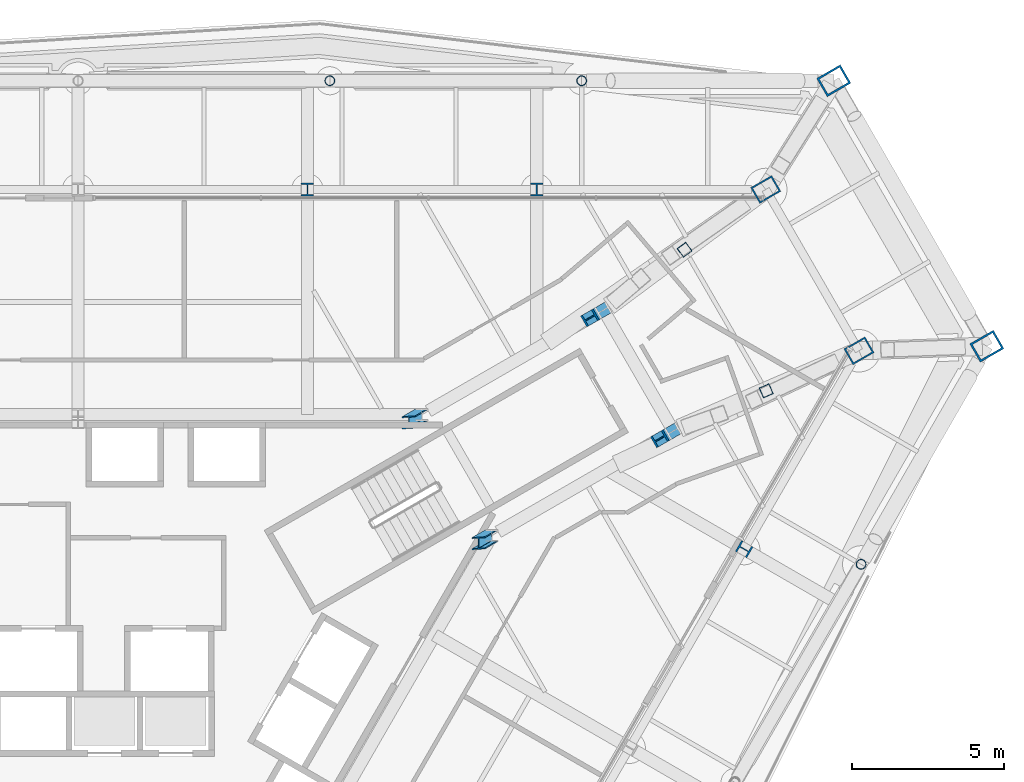
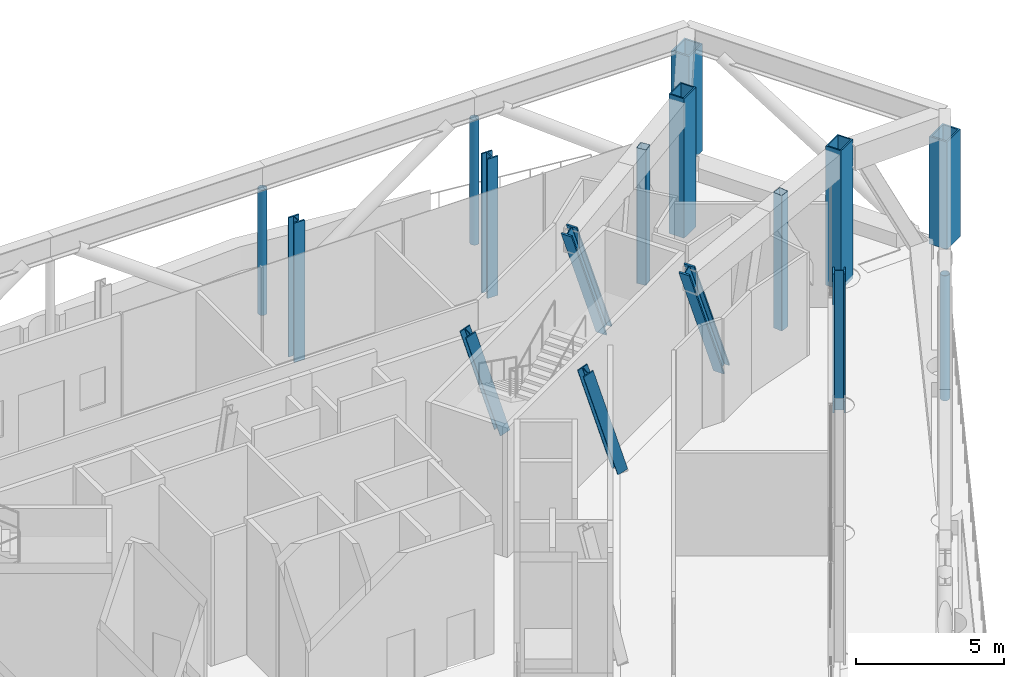
# One storey, part 4 of 25: 16 columns.
"""IFC4 building model written with IfcOpenShell, lengths in metres."""

import ifcopenshell
import ifcopenshell.guid

model = None  # the IFC model being written
_history = None  # IfcOwnerHistory: only IFC2X3 demands one
_inside = {}  # id of a spatial element -> (the spatial element, [elements in it])
_under = {}  # id of a project, library or spatial element -> (it, [spatial elements below it])
_declared = {}  # id of a project -> (the project, [libraries it declares])
_typed = {}  # id of a type object -> (the type object, [elements of that type])
_made_of = {}  # id of a material, layer set ... -> (it, [elements and type objects made of it])


def new_model(schema):
    """Start an empty IFC model of exactly this schema.

    Asked for "IFC4X3", IfcOpenShell would pick the latest addendum, in which some entities
    have other attributes; the version numbers below select the first issue.
    IFC2X3 requires an IfcOwnerHistory on every rooted entity: one is made here for all.
    """
    global model, _history
    if schema == "IFC4X3":
        model = ifcopenshell.file(schema_version=(4, 3, 0, 0))
    else:
        model = ifcopenshell.file(schema=schema)
    _inside.clear()
    _under.clear()
    _declared.clear()
    _typed.clear()
    _made_of.clear()
    _history = None
    if model.schema == "IFC2X3":
        org = make("IfcOrganization", Name="unknown")
        user = make(
            "IfcPersonAndOrganization",
            ThePerson=make("IfcPerson", FamilyName="unknown"),
            TheOrganization=org,
        )
        app = make(
            "IfcApplication",
            ApplicationDeveloper=org,
            Version="unknown",
            ApplicationFullName="unknown",
            ApplicationIdentifier="unknown",
        )
        _history = make(
            "IfcOwnerHistory",
            OwningUser=user,
            OwningApplication=app,
            ChangeAction="ADDED",
            CreationDate=0,
        )
    return model


def make(cls, **values):
    """One entity of the class cls with the attributes given. An attribute that is None is left unset."""
    return model.create_entity(
        cls, **{name: value for name, value in values.items() if value is not None}
    )


def rooted(cls, **values):
    """An entity with a GlobalId (a new one), such as an element, a storey or a relation."""
    return make(cls, GlobalId=ifcopenshell.guid.new(), OwnerHistory=_history, **values)


def si_unit(unit_type, name, prefix=None):
    """IfcSIUnit, for example si_unit("LENGTHUNIT", "METRE", prefix="MILLI")."""
    return make("IfcSIUnit", UnitType=unit_type, Prefix=prefix, Name=name)


def assignment(units):
    """IfcUnitAssignment: the units of a project."""
    return None if units is None else make("IfcUnitAssignment", Units=units)


def point(xyz):
    """IfcCartesianPoint."""
    return None if xyz is None else make("IfcCartesianPoint", Coordinates=xyz)


def direction(xyz):
    """IfcDirection."""
    return None if xyz is None else make("IfcDirection", DirectionRatios=xyz)


def frame(location, z_axis=None, x_axis=None):
    """IfcAxis2Placement3D, a coordinate frame: its origin and axes. An axis left out is left unset."""
    return make(
        "IfcAxis2Placement3D",
        Location=point(location),
        Axis=direction(z_axis),
        RefDirection=direction(x_axis),
    )


def frame_2d(location, x_axis=None):
    """IfcAxis2Placement2D, a coordinate frame in the plane: its origin and x axis."""
    return make(
        "IfcAxis2Placement2D", Location=point(location), RefDirection=direction(x_axis)
    )


def origin():
    """The frame at (0, 0, 0) with its axes left unset."""
    return frame((0.0, 0.0, 0.0))


def origin_2d():
    """The frame at (0, 0) in the plane with its x axis left unset."""
    return frame_2d((0.0, 0.0))


def place(relative_to, where):
    """IfcLocalPlacement: puts the frame where relative to a parent placement (None: the world)."""
    return make(
        "IfcLocalPlacement", PlacementRelTo=relative_to, RelativePlacement=where
    )


def context(
    kind, dimensions, precision=None, world=None, true_north=None, identifier=None
):
    """IfcGeometricRepresentationContext, for example the 3D "Model" context."""
    return make(
        "IfcGeometricRepresentationContext",
        ContextIdentifier=identifier,
        ContextType=kind,
        CoordinateSpaceDimension=dimensions,
        Precision=precision,
        WorldCoordinateSystem=world,
        TrueNorth=true_north,
    )


def subcontext(parent, identifier, kind, view, scale=None):
    """IfcGeometricRepresentationSubContext, for example "Body" below "Model"."""
    return make(
        "IfcGeometricRepresentationSubContext",
        ContextIdentifier=identifier,
        ContextType=kind,
        ParentContext=parent,
        TargetScale=scale,
        TargetView=view,
    )


def project(units=None, contexts=None):
    """IfcProject with its units and contexts."""
    return rooted(
        "IfcProject",
        Name="project",
        RepresentationContexts=contexts,
        UnitsInContext=assignment(units),
    )


def spatial(cls, under=None, at=None, **own):
    """A site, building, storey or space (cls), placed at a placement, below another one or the project."""
    s = rooted(cls, ObjectPlacement=at, **own)
    if under is not None:
        _under.setdefault(under.id(), (under, []))[1].append(s)
    return s


def profile(cls, at=None, kind="AREA", **sizes):
    """A parametric profile (cls). Its sizes go by their IFC names, for example OverallWidth=200.0."""
    return make(cls, ProfileType=kind, Position=at, **sizes)


def hollow_rectangle(**sizes):
    """IfcRectangleHollowProfileDef."""
    return profile("IfcRectangleHollowProfileDef", **sizes)


def hollow_circle(**sizes):
    """IfcCircleHollowProfileDef."""
    return profile("IfcCircleHollowProfileDef", **sizes)


def i_section(**sizes):
    """IfcIShapeProfileDef."""
    return profile("IfcIShapeProfileDef", **sizes)


def extrude(swept, where, along, depth):
    """IfcExtrudedAreaSolid: the profile swept, set in the frame where, extruded along a direction by depth."""
    return make(
        "IfcExtrudedAreaSolid",
        SweptArea=swept,
        Position=where,
        ExtrudedDirection=direction(along),
        Depth=depth,
    )


def shape(context_of_items, identifier, shape_type, items):
    """IfcShapeRepresentation: the items that make up one representation, for example the "Body"."""
    return make(
        "IfcShapeRepresentation",
        ContextOfItems=context_of_items,
        RepresentationIdentifier=identifier,
        RepresentationType=shape_type,
        Items=items,
    )


def material(Name=None, Category=None):
    """IfcMaterial."""
    return make("IfcMaterial", Name=Name, Category=Category)


def material_profile(
    of_material, cross_section, Name=None, Category=None, Priority=None
):
    """IfcMaterialProfile: a cross section and its material."""
    return make(
        "IfcMaterialProfile",
        Name=Name,
        Material=of_material,
        Profile=cross_section,
        Priority=Priority,
        Category=Category,
    )


def profile_set(profiles, Name=None, composite=None):
    """IfcMaterialProfileSet."""
    return make(
        "IfcMaterialProfileSet",
        Name=Name,
        MaterialProfiles=profiles,
        CompositeProfile=composite,
    )


def made_of(thing, what):
    """Note that an element or type object is made of a material, layer set ...; save() writes the relation."""
    if what is not None:
        _made_of.setdefault(what.id(), (what, []))[1].append(thing)
    return thing


def type_object(cls, material=None, **own):
    """A type object (cls), such as IfcWallType, which elements share."""
    return made_of(rooted(cls, **own), material)


def element(
    cls,
    number,
    at=None,
    inside=None,
    cuts=None,
    type_object=None,
    material=None,
    context=None,
    identifier="Body",
    shape_type=None,
    held_by="IfcProductDefinitionShape",
    body=None,
    shapes=None,
    **own,
):
    """One element of the class cls, such as IfcWall. Its Tag is "e" and its number.

    at: its placement. inside: the storey or other place that contains it. cuts: it is an
    opening in that element (IfcRelVoidsElement). A single representation is given by context,
    identifier, shape_type and body (its items); several are given by shapes. held_by: the class
    of the entity that holds the representations. save() writes the other relations.
    """
    e = rooted(cls, Tag="e%d" % number, ObjectPlacement=at, **own)
    if body is not None:
        shapes = [shape(context, identifier, shape_type, body)]
    if shapes is not None:
        e.Representation = make(held_by, Representations=shapes)
    if inside is not None:
        _inside.setdefault(inside.id(), (inside, []))[1].append(e)
    if cuts is not None:
        rooted(
            "IfcRelVoidsElement", RelatingBuildingElement=cuts, RelatedOpeningElement=e
        )
    if type_object is not None:
        _typed.setdefault(type_object.id(), (type_object, []))[1].append(e)
    return made_of(e, material)


def aggregate(whole, parts):
    """IfcRelAggregates: a whole, such as a stair, and the parts it consists of."""
    return rooted("IfcRelAggregates", RelatingObject=whole, RelatedObjects=parts)


def save(model, path):
    """Write the relations noted so far, then the file.

    IfcRelAggregates (storeys below a building ...), IfcRelContainedInSpatialStructure (elements
    in a storey), IfcRelDefinesByType, IfcRelAssociatesMaterial and IfcRelDeclares: one each for
    every whole, place, type object, material and project.
    """
    for whole, parts in _under.values():
        aggregate(whole, parts)
    for where, things in _inside.values():
        rooted(
            "IfcRelContainedInSpatialStructure",
            RelatedElements=things,
            RelatingStructure=where,
        )
    for kind, things in _typed.values():
        rooted("IfcRelDefinesByType", RelatedObjects=things, RelatingType=kind)
    for what, things in _made_of.values():
        rooted("IfcRelAssociatesMaterial", RelatedObjects=things, RelatingMaterial=what)
    for by, libraries in _declared.values():
        rooted("IfcRelDeclares", RelatingContext=by, RelatedDefinitions=libraries)
    model.write(path)


model = new_model("IFC4")

# Units and contexts
model_context = context("Model", 3, precision=1e-05, world=origin(), true_north=direction((0.0, 1.0)))
body_context = subcontext(model_context, "Body", "Model", "MODEL_VIEW")
ifc_project = project(units=[si_unit("LENGTHUNIT", "METRE"), si_unit("AREAUNIT", "SQUARE_METRE"), si_unit("VOLUMEUNIT", "CUBIC_METRE"), si_unit("PLANEANGLEUNIT", "RADIAN"), si_unit("MASSUNIT", "GRAM", prefix="KILO")], contexts=[model_context])

# Site, building, storey
site_placement = place(None, origin())
site = spatial("IfcSite", under=ifc_project, at=site_placement, CompositionType="ELEMENT")
building_placement = place(site_placement, origin())
building = spatial("IfcBuilding", under=site, at=building_placement, Name="Verrane Prism Tower", CompositionType="ELEMENT")
storey_placement = place(building_placement, frame((0.0, 0.0, 143.199951171875)))
storey = spatial("IfcBuildingStorey", under=building, at=storey_placement, Name="L35", CompositionType="ELEMENT", Elevation=143.199951171875)

# Columns
ifc_material_1 = material(Name="Steel A500 Grade C", Category="steel")
ifc_material_profile_1 = material_profile(ifc_material_1, hollow_circle(Radius=0.16259765625, WallThickness=0.0126953125, at=origin_2d()), Name="HSS12.750x0.500")
ifc_profile_set_1 = profile_set([ifc_material_profile_1], Name="Steel A500 Grade C")
column_type_1 = type_object("IfcColumnType", Name="Belt truss post HSS12.750x0.500", PredefinedType="COLUMN", material=ifc_profile_set_1)
for number, where, z_axis, x_axis, name in (
    (1, (16.580078125, 20.18994140625, -0.72998046875), (0.0, 0.0, 1.0), (1.0, 0.0, 0.0), "Belt truss post L35"),
    (2, (8.2900390625, 20.18994140625, -0.72998046875), (0.0, 0.0, 1.0), (1.0, 0.0, 0.0), "Belt truss post L35"),
    (3, (25.780029296875, 4.27001953125, -0.72998046875), (0.0, 0.0, 1.0), (-0.5, -0.866025403784, 0.0), "Belt truss post L35"),
):
    element("IfcColumn", number, at=place(storey_placement, frame(where, z_axis=z_axis, x_axis=x_axis)), inside=storey, type_object=column_type_1, Name=name, PredefinedType="COLUMN", context=body_context, shape_type="SweptSolid", body=[
        extrude(hollow_circle(Radius=0.16259765625, WallThickness=0.0126953125, at=origin_2d()), origin(), (0.0, 0.0, 1.0), 5.169921875),
    ])
ifc_material_2 = material(Name="Steel A992", Category="steel")
ifc_material_profile_2 = material_profile(ifc_material_2, i_section(OverallWidth=0.411376953125, OverallDepth=0.434326171875, WebThickness=0.035888671875, FlangeThickness=0.057373046875, FilletRadius=0.01513671875, at=origin_2d()), Name="W14x311")
ifc_profile_set_2 = profile_set([ifc_material_profile_2], Name="Steel A992")
column_type_2 = type_object("IfcColumnType", Name="Core corner column W14x311", PredefinedType="COLUMN", material=ifc_profile_set_2)
for number, where, z_axis, x_axis, name in (
    (4, (19.57958984375, 8.648193359375, 0.054931640625), (-0.341378253674, -0.196947420622, 0.919060716943), (0.499997314548, -0.866026943298, 0.000137572424), "Core corner column CK-NEm L35"),
    (5, (17.279541015625, 12.628173828125, 0.054931640625), (-0.341344894108, -0.196910883598, 0.919080936146), (0.499964404976, -0.866045942682, 0.000137555964), "Core corner column CK-NEp L35"),
):
    element("IfcColumn", number, at=place(storey_placement, frame(where, z_axis=z_axis, x_axis=x_axis)), inside=storey, type_object=column_type_2, Name=name, PredefinedType="COLUMN", context=body_context, shape_type="SweptSolid", body=[
        extrude(i_section(OverallWidth=0.411376953125, OverallDepth=0.434326171875, WebThickness=0.035888671875, FlangeThickness=0.057373046875, FilletRadius=0.01513671875, at=origin_2d()), origin(), (0.0, 0.0, 1.0), 5.9736328125),
    ])
ifc_material_3 = material(Name="Steel A992", Category="steel")
ifc_material_profile_3 = material_profile(ifc_material_3, i_section(OverallWidth=0.4013671875, OverallDepth=0.398681640625, WebThickness=0.02490234375, FlangeThickness=0.03955078125, FilletRadius=0.01513671875, at=origin_2d()), Name="W14x211")
ifc_profile_set_3 = profile_set([ifc_material_profile_3], Name="Steel A992")
column_type_3 = type_object("IfcColumnType", Name="Core side column W14x211", PredefinedType="COLUMN", material=ifc_profile_set_3)
for number, where, z_axis, x_axis, name in (
    (6, (13.60595703125, 5.2060546875, 0.06494140625), (-0.339909019548, -0.197042164073, 0.91958482154), (0.937974546655, -1.0953878e-05, 0.346704124156), "Core side column CC-NEm L35"),
    (7, (11.305908203125, 9.18603515625, 0.06494140625), (-0.339909019548, -0.197042164073, 0.91958482154), (0.937974546655, -1.0953878e-05, 0.346704124156), "Core side column CC-NEp L35"),
):
    element("IfcColumn", number, at=place(storey_placement, frame(where, z_axis=z_axis, x_axis=x_axis)), inside=storey, type_object=column_type_3, Name=name, PredefinedType="COLUMN", context=body_context, shape_type="SweptSolid", body=[
        extrude(i_section(OverallWidth=0.4013671875, OverallDepth=0.398681640625, WebThickness=0.02490234375, FlangeThickness=0.03955078125, FilletRadius=0.01513671875, at=origin_2d()), origin(), (0.0, 0.0, 1.0), 5.948486328125),
    ])
ifc_material_4 = material(Name="Steel A572 Grade 50", Category="steel")
ifc_material_profile_4 = material_profile(ifc_material_4, hollow_rectangle(XDim=0.60009765625, YDim=0.800048828125, WallThickness=0.050048828125, at=origin_2d()), Name="BOX 800x600x50")
ifc_profile_set_4 = profile_set([ifc_material_profile_4], Name="Steel A572 Grade 50")
column_type_4 = type_object("IfcColumnType", Name="Megacolumn BOX 800x600x50", PredefinedType="COLUMN", material=ifc_profile_set_4)
for number, where, z_axis, x_axis, name in (
    (8, (22.639892578125, 16.610107421875, -0.159912109375), (0.0, 0.0, 1.0), (0.5, -0.866025403784, 0.0), "Megacolumn MC-NE.b L35"),
    (9, (25.7099609375, 11.300048828125, -0.159912109375), (0.0, 0.0, 1.0), (0.5, -0.866025403784, 0.0), "Megacolumn MC-NE.a L35"),
):
    element("IfcColumn", number, at=place(storey_placement, frame(where, z_axis=z_axis, x_axis=x_axis)), inside=storey, type_object=column_type_4, Name=name, PredefinedType="COLUMN", context=body_context, shape_type="SweptSolid", body=[
        extrude(hollow_rectangle(XDim=0.60009765625, YDim=0.800048828125, WallThickness=0.050048828125, at=origin_2d()), origin(), (0.0, 0.0, 1.0), 5.760009765625),
    ])
ifc_material_5 = material(Name="Steel A572 Grade 50", Category="steel")
ifc_material_profile_5 = material_profile(ifc_material_5, hollow_rectangle(XDim=0.699951171875, YDim=0.89990234375, WallThickness=0.06494140625, at=origin_2d()), Name="BOX 900x700x65")
ifc_profile_set_5 = profile_set([ifc_material_profile_5], Name="Steel A572 Grade 50")
column_type_5 = type_object("IfcColumnType", Name="Megacolumn BOX 900x700x65", PredefinedType="COLUMN", material=ifc_profile_set_5)
for number, where, z_axis, x_axis, name in (
    (10, (24.8798828125, 20.18994140625, 0.0), (0.0, 0.0, 1.0), (0.5, -0.866025403784, 0.0), "Megacolumn MC-NE.b@out L35"),
    (11, (29.919921875, 11.449951171875, 0.0), (0.0, 0.0, 1.0), (0.5, -0.866025403784, 0.0), "Megacolumn MC-NE.a@out L35"),
):
    element("IfcColumn", number, at=place(storey_placement, frame(where, z_axis=z_axis, x_axis=x_axis)), inside=storey, type_object=column_type_5, Name=name, PredefinedType="COLUMN", context=body_context, shape_type="SweptSolid", body=[
        extrude(hollow_rectangle(XDim=0.699951171875, YDim=0.89990234375, WallThickness=0.06494140625, at=origin_2d()), origin(), (0.0, 0.0, 1.0), 4.43994140625),
    ])
ifc_material_6 = material(Name="Steel A500 Grade C", Category="steel")
ifc_material_profile_6 = material_profile(ifc_material_6, hollow_rectangle(XDim=0.355712890625, YDim=0.355712890625, WallThickness=0.0126953125, InnerFilletRadius=0.00634765625, OuterFilletRadius=0.01904296875, at=origin_2d()), Name="HSS14x14x1/2")
ifc_profile_set_6 = profile_set([ifc_material_profile_6], Name="Steel A500 Grade C")
column_type_6 = type_object("IfcColumnType", Name="Outrigger truss post HSS14x14x1/2", PredefinedType="COLUMN", material=ifc_profile_set_6)
for number, where, z_axis, x_axis, name in (
    (12, (22.655029296875, 9.97998046875, -0.159912109375), (0.0, 0.0, 1.0), (-0.396636860013, 0.917975599501, 0.0), "Outrigger truss post L35"),
    (13, (19.969970703125, 14.625, -0.159912109375), (0.0, 0.0, 1.0), (-0.596628339704, 0.802517678473, 0.0), "Outrigger truss post L35"),
):
    element("IfcColumn", number, at=place(storey_placement, frame(where, z_axis=z_axis, x_axis=x_axis)), inside=storey, type_object=column_type_6, Name=name, PredefinedType="COLUMN", context=body_context, shape_type="SweptSolid", body=[
        extrude(hollow_rectangle(XDim=0.355712890625, YDim=0.355712890625, WallThickness=0.0126953125, InnerFilletRadius=0.00634765625, OuterFilletRadius=0.01904296875, at=origin_2d()), origin(), (0.0, 0.0, 1.0), 5.599853515625),
    ])
ifc_material_7 = material(Name="Steel A992", Category="steel")
ifc_material_profile_7 = material_profile(ifc_material_7, i_section(OverallWidth=0.411376953125, OverallDepth=0.434326171875, WebThickness=0.035888671875, FlangeThickness=0.057373046875, FilletRadius=0.01513671875, at=origin_2d()), Name="W14x311")
ifc_profile_set_7 = profile_set([ifc_material_profile_7], Name="Steel A992")
column_type_7 = type_object("IfcColumnType", Name="Perimeter column W14x311", PredefinedType="COLUMN", material=ifc_profile_set_7)
for number, where, z_axis, x_axis, name in (
    (14, (15.10009765625, 16.610107421875, -0.159912109375), (0.0, 0.0, 1.0), (1.0, 0.0, 0.0), "Perimeter column PC-N1 L35"),
    (15, (7.550048828125, 16.610107421875, -0.159912109375), (0.0, 0.0, 1.0), (1.0, 0.0, 0.0), "Perimeter column PC-N2 L35"),
    (16, (21.929931640625, 4.77001953125, -0.159912109375), (0.0, 0.0, 1.0), (-0.5, -0.866025403784, 0.0), "Perimeter column PC-SE5 L35"),
):
    element("IfcColumn", number, at=place(storey_placement, frame(where, z_axis=z_axis, x_axis=x_axis)), inside=storey, type_object=column_type_7, Name=name, PredefinedType="COLUMN", context=body_context, shape_type="SweptSolid", body=[
        extrude(i_section(OverallWidth=0.411376953125, OverallDepth=0.434326171875, WebThickness=0.035888671875, FlangeThickness=0.057373046875, FilletRadius=0.01513671875, at=origin_2d()), origin(), (0.0, 0.0, 1.0), 5.760009765625),
    ])

save(model, "model.ifc")
